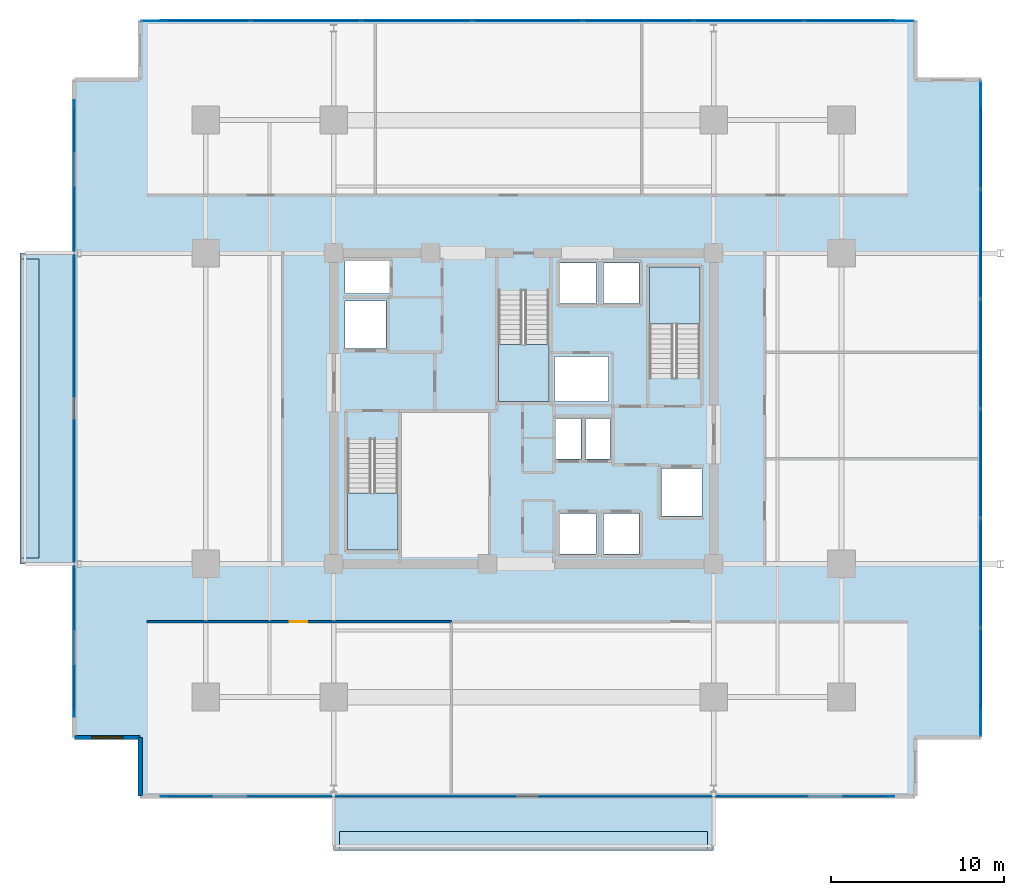
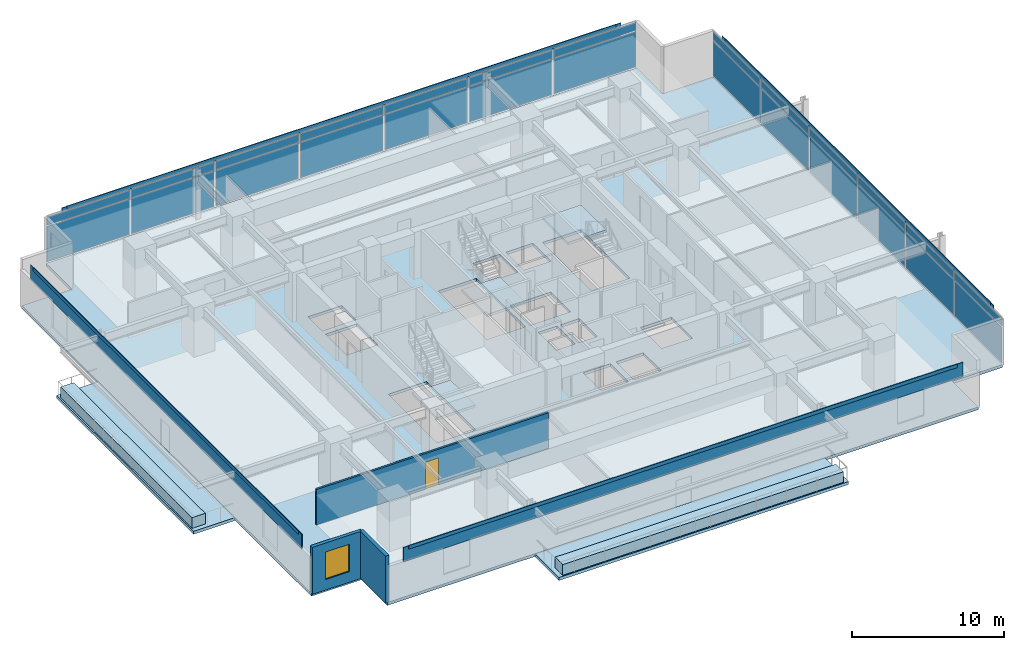
# One storey, part 13 of 23: 34 plates, 8 slabs, 3 walls, 1 door, 1 window, 2 openings, 5 elements without a shape of their own.
"""IFC4 building model written with IfcOpenShell, lengths in metres."""

import ifcopenshell
import ifcopenshell.guid

model = None  # the IFC model being written
_history = None  # IfcOwnerHistory: only IFC2X3 demands one
_inside = {}  # id of a spatial element -> (the spatial element, [elements in it])
_under = {}  # id of a project, library or spatial element -> (it, [spatial elements below it])
_declared = {}  # id of a project -> (the project, [libraries it declares])
_typed = {}  # id of a type object -> (the type object, [elements of that type])
_made_of = {}  # id of a material, layer set ... -> (it, [elements and type objects made of it])


def new_model(schema):
    """Start an empty IFC model of exactly this schema.

    Asked for "IFC4X3", IfcOpenShell would pick the latest addendum, in which some entities
    have other attributes; the version numbers below select the first issue.
    IFC2X3 requires an IfcOwnerHistory on every rooted entity: one is made here for all.
    """
    global model, _history
    if schema == "IFC4X3":
        model = ifcopenshell.file(schema_version=(4, 3, 0, 0))
    else:
        model = ifcopenshell.file(schema=schema)
    _inside.clear()
    _under.clear()
    _declared.clear()
    _typed.clear()
    _made_of.clear()
    _history = None
    if model.schema == "IFC2X3":
        org = make("IfcOrganization", Name="unknown")
        user = make(
            "IfcPersonAndOrganization",
            ThePerson=make("IfcPerson", FamilyName="unknown"),
            TheOrganization=org,
        )
        app = make(
            "IfcApplication",
            ApplicationDeveloper=org,
            Version="unknown",
            ApplicationFullName="unknown",
            ApplicationIdentifier="unknown",
        )
        _history = make(
            "IfcOwnerHistory",
            OwningUser=user,
            OwningApplication=app,
            ChangeAction="ADDED",
            CreationDate=0,
        )
    return model


def make(cls, **values):
    """One entity of the class cls with the attributes given. An attribute that is None is left unset."""
    return model.create_entity(
        cls, **{name: value for name, value in values.items() if value is not None}
    )


def rooted(cls, **values):
    """An entity with a GlobalId (a new one), such as an element, a storey or a relation."""
    return make(cls, GlobalId=ifcopenshell.guid.new(), OwnerHistory=_history, **values)


def si_unit(unit_type, name, prefix=None):
    """IfcSIUnit, for example si_unit("LENGTHUNIT", "METRE", prefix="MILLI")."""
    return make("IfcSIUnit", UnitType=unit_type, Prefix=prefix, Name=name)


def assignment(units):
    """IfcUnitAssignment: the units of a project."""
    return None if units is None else make("IfcUnitAssignment", Units=units)


def point(xyz):
    """IfcCartesianPoint."""
    return None if xyz is None else make("IfcCartesianPoint", Coordinates=xyz)


def direction(xyz):
    """IfcDirection."""
    return None if xyz is None else make("IfcDirection", DirectionRatios=xyz)


def frame(location, z_axis=None, x_axis=None):
    """IfcAxis2Placement3D, a coordinate frame: its origin and axes. An axis left out is left unset."""
    return make(
        "IfcAxis2Placement3D",
        Location=point(location),
        Axis=direction(z_axis),
        RefDirection=direction(x_axis),
    )


def frame_2d(location, x_axis=None):
    """IfcAxis2Placement2D, a coordinate frame in the plane: its origin and x axis."""
    return make(
        "IfcAxis2Placement2D", Location=point(location), RefDirection=direction(x_axis)
    )


def origin():
    """The frame at (0, 0, 0) with its axes left unset."""
    return frame((0.0, 0.0, 0.0))


def origin_2d():
    """The frame at (0, 0) in the plane with its x axis left unset."""
    return frame_2d((0.0, 0.0))


def place(relative_to, where):
    """IfcLocalPlacement: puts the frame where relative to a parent placement (None: the world)."""
    return make(
        "IfcLocalPlacement", PlacementRelTo=relative_to, RelativePlacement=where
    )


def context(
    kind, dimensions, precision=None, world=None, true_north=None, identifier=None
):
    """IfcGeometricRepresentationContext, for example the 3D "Model" context."""
    return make(
        "IfcGeometricRepresentationContext",
        ContextIdentifier=identifier,
        ContextType=kind,
        CoordinateSpaceDimension=dimensions,
        Precision=precision,
        WorldCoordinateSystem=world,
        TrueNorth=true_north,
    )


def subcontext(parent, identifier, kind, view, scale=None):
    """IfcGeometricRepresentationSubContext, for example "Body" below "Model"."""
    return make(
        "IfcGeometricRepresentationSubContext",
        ContextIdentifier=identifier,
        ContextType=kind,
        ParentContext=parent,
        TargetScale=scale,
        TargetView=view,
    )


def project(units=None, contexts=None):
    """IfcProject with its units and contexts."""
    return rooted(
        "IfcProject",
        Name="project",
        RepresentationContexts=contexts,
        UnitsInContext=assignment(units),
    )


def spatial(cls, under=None, at=None, **own):
    """A site, building, storey or space (cls), placed at a placement, below another one or the project."""
    s = rooted(cls, ObjectPlacement=at, **own)
    if under is not None:
        _under.setdefault(under.id(), (under, []))[1].append(s)
    return s


def polyline(points):
    """IfcPolyline through the points."""
    return make("IfcPolyline", Points=[point(p) for p in points])


def profile(cls, at=None, kind="AREA", **sizes):
    """A parametric profile (cls). Its sizes go by their IFC names, for example OverallWidth=200.0."""
    return make(cls, ProfileType=kind, Position=at, **sizes)


def rectangle(**sizes):
    """IfcRectangleProfileDef."""
    return profile("IfcRectangleProfileDef", **sizes)


def outline(outer, holes=None, kind="AREA"):
    """IfcArbitraryClosedProfileDef: a profile drawn as a closed curve; with holes, ...WithVoids."""
    if holes is None:
        return make("IfcArbitraryClosedProfileDef", ProfileType=kind, OuterCurve=outer)
    return make(
        "IfcArbitraryProfileDefWithVoids",
        ProfileType=kind,
        OuterCurve=outer,
        InnerCurves=holes,
    )


def extrude(swept, where, along, depth):
    """IfcExtrudedAreaSolid: the profile swept, set in the frame where, extruded along a direction by depth."""
    return make(
        "IfcExtrudedAreaSolid",
        SweptArea=swept,
        Position=where,
        ExtrudedDirection=direction(along),
        Depth=depth,
    )


def shape(context_of_items, identifier, shape_type, items):
    """IfcShapeRepresentation: the items that make up one representation, for example the "Body"."""
    return make(
        "IfcShapeRepresentation",
        ContextOfItems=context_of_items,
        RepresentationIdentifier=identifier,
        RepresentationType=shape_type,
        Items=items,
    )


def material(Name=None, Category=None):
    """IfcMaterial."""
    return make("IfcMaterial", Name=Name, Category=Category)


def layer(
    of_material, thickness, ventilated=None, Name=None, Category=None, Priority=None
):
    """IfcMaterialLayer: one layer of a wall or slab, of a material (None: an air gap)."""
    return make(
        "IfcMaterialLayer",
        Material=of_material,
        LayerThickness=thickness,
        IsVentilated=ventilated,
        Name=Name,
        Category=Category,
        Priority=Priority,
    )


def layer_set(layers, Name=None):
    """IfcMaterialLayerSet."""
    return make("IfcMaterialLayerSet", MaterialLayers=layers, LayerSetName=Name)


def made_of(thing, what):
    """Note that an element or type object is made of a material, layer set ...; save() writes the relation."""
    if what is not None:
        _made_of.setdefault(what.id(), (what, []))[1].append(thing)
    return thing


def type_object(cls, material=None, **own):
    """A type object (cls), such as IfcWallType, which elements share."""
    return made_of(rooted(cls, **own), material)


def element(
    cls,
    number,
    at=None,
    inside=None,
    cuts=None,
    type_object=None,
    material=None,
    context=None,
    identifier="Body",
    shape_type=None,
    held_by="IfcProductDefinitionShape",
    body=None,
    shapes=None,
    **own,
):
    """One element of the class cls, such as IfcWall. Its Tag is "e" and its number.

    at: its placement. inside: the storey or other place that contains it. cuts: it is an
    opening in that element (IfcRelVoidsElement). A single representation is given by context,
    identifier, shape_type and body (its items); several are given by shapes. held_by: the class
    of the entity that holds the representations. save() writes the other relations.
    """
    e = rooted(cls, Tag="e%d" % number, ObjectPlacement=at, **own)
    if body is not None:
        shapes = [shape(context, identifier, shape_type, body)]
    if shapes is not None:
        e.Representation = make(held_by, Representations=shapes)
    if inside is not None:
        _inside.setdefault(inside.id(), (inside, []))[1].append(e)
    if cuts is not None:
        rooted(
            "IfcRelVoidsElement", RelatingBuildingElement=cuts, RelatedOpeningElement=e
        )
    if type_object is not None:
        _typed.setdefault(type_object.id(), (type_object, []))[1].append(e)
    return made_of(e, material)


def fill(opening, filler):
    """IfcRelFillsElement: the door or window that sits in an opening."""
    return rooted(
        "IfcRelFillsElement",
        RelatingOpeningElement=opening,
        RelatedBuildingElement=filler,
    )


def aggregate(whole, parts):
    """IfcRelAggregates: a whole, such as a stair, and the parts it consists of."""
    return rooted("IfcRelAggregates", RelatingObject=whole, RelatedObjects=parts)


def save(model, path):
    """Write the relations noted so far, then the file.

    IfcRelAggregates (storeys below a building ...), IfcRelContainedInSpatialStructure (elements
    in a storey), IfcRelDefinesByType, IfcRelAssociatesMaterial and IfcRelDeclares: one each for
    every whole, place, type object, material and project.
    """
    for whole, parts in _under.values():
        aggregate(whole, parts)
    for where, things in _inside.values():
        rooted(
            "IfcRelContainedInSpatialStructure",
            RelatedElements=things,
            RelatingStructure=where,
        )
    for kind, things in _typed.values():
        rooted("IfcRelDefinesByType", RelatedObjects=things, RelatingType=kind)
    for what, things in _made_of.values():
        rooted("IfcRelAssociatesMaterial", RelatedObjects=things, RelatingMaterial=what)
    for by, libraries in _declared.values():
        rooted("IfcRelDeclares", RelatingContext=by, RelatedDefinitions=libraries)
    model.write(path)


model = new_model("IFC4")

# Units and contexts
model_context = context("Model", 3, precision=1e-05, world=origin(), true_north=direction((0.0, 1.0)))
body_context = subcontext(model_context, "Body", "Model", "MODEL_VIEW")
ifc_project = project(units=[si_unit("LENGTHUNIT", "METRE"), si_unit("AREAUNIT", "SQUARE_METRE"), si_unit("VOLUMEUNIT", "CUBIC_METRE"), si_unit("PLANEANGLEUNIT", "RADIAN"), si_unit("MASSUNIT", "GRAM", prefix="KILO")], contexts=[model_context])

# Site, building, storey
site_placement = place(None, origin())
site = spatial("IfcSite", under=ifc_project, at=site_placement, CompositionType="ELEMENT")
building_placement = place(site_placement, origin())
building = spatial("IfcBuilding", under=site, at=building_placement, Name="Kovane Verandah Tower", CompositionType="ELEMENT")
storey_placement = place(building_placement, frame((0.0, 0.0, 140.39990234375)))
storey = spatial("IfcBuildingStorey", under=building, at=storey_placement, Name="L32", CompositionType="ELEMENT", Elevation=140.39990234375)

# Curtain wall, plates
ifc_material_1 = material(Name="Champagne Anodised Aluminium Frame with Low-E Clear Laminated Glass", Category="aluminium")
curtain_wall_type = type_object("IfcCurtainWallType", Name="CW-SYS-03-MID", PredefinedType="NOTDEFINED", material=ifc_material_1)
curtain_wall_1_placement = place(storey_placement, origin())
curtain_wall_1 = element("IfcCurtainWall", 1, at=curtain_wall_1_placement, inside=storey, type_object=curtain_wall_type, Name="L32 E Unitised Curtain Wall", PredefinedType="NOTDEFINED")
ifc_material_2 = material(Name="Pale Champagne Anodised Aluminium Insulated Spandrel", Category="aluminium")
ifc_layer_1 = layer(ifc_material_2, 0.0400390625)
ifc_layer_set_1 = layer_set([ifc_layer_1], Name="Pale Champagne Anodised Aluminium Insulated Spandrel")
plate_type_1 = type_object("IfcPlateType", Name="PL-CW-SPD-40", PredefinedType="SHEET", material=ifc_layer_set_1)
plate_1_placement = place(storey_placement, frame((66.4560546875, 11.6328125, 3.044921875), z_axis=(0.0, 0.0, 1.0), x_axis=(0.0, 1.0, 0.0)))
plate_1 = element("IfcPlate", 2, at=plate_1_placement, type_object=plate_type_1, Name="L32 E Unitised Curtain Wall Spandrel Panel 1", PredefinedType="SHEET", context=body_context, shape_type="SweptSolid", body=[
    extrude(rectangle(XDim=6.206787109375, YDim=0.0400390625, at=origin_2d()), origin(), (0.0, 0.0, 1.0), 0.639892578125),
])
plate_2_placement = place(storey_placement, frame((66.4560546875, 17.9794921875, 3.044921875), z_axis=(0.0, 0.0, 1.0), x_axis=(0.0, 1.0, 0.0)))
plate_2 = element("IfcPlate", 3, at=plate_2_placement, type_object=plate_type_1, Name="L32 E Unitised Curtain Wall Spandrel Panel 2", PredefinedType="SHEET", context=body_context, shape_type="SweptSolid", body=[
    extrude(rectangle(XDim=6.206787109375, YDim=0.0400390625, at=origin_2d()), origin(), (0.0, 0.0, 1.0), 0.639892578125),
])
plate_3_placement = place(storey_placement, frame((66.4560546875, 24.326416015625, 3.044921875), z_axis=(0.0, 0.0, 1.0), x_axis=(0.0, 1.0, 0.0)))
plate_3 = element("IfcPlate", 4, at=plate_3_placement, type_object=plate_type_1, Name="L32 E Unitised Curtain Wall Spandrel Panel 3", PredefinedType="SHEET", context=body_context, shape_type="SweptSolid", body=[
    extrude(rectangle(XDim=6.206787109375, YDim=0.0400390625, at=origin_2d()), origin(), (0.0, 0.0, 1.0), 0.639892578125),
])
plate_4_placement = place(storey_placement, frame((66.4560546875, 30.673583984375, 3.044921875), z_axis=(0.0, 0.0, 1.0), x_axis=(0.0, 1.0, 0.0)))
plate_4 = element("IfcPlate", 5, at=plate_4_placement, type_object=plate_type_1, Name="L32 E Unitised Curtain Wall Spandrel Panel 4", PredefinedType="SHEET", context=body_context, shape_type="SweptSolid", body=[
    extrude(rectangle(XDim=6.206787109375, YDim=0.0400390625, at=origin_2d()), origin(), (0.0, 0.0, 1.0), 0.639892578125),
])
plate_5_placement = place(storey_placement, frame((66.4560546875, 37.0205078125, 3.044921875), z_axis=(0.0, 0.0, 1.0), x_axis=(0.0, 1.0, 0.0)))
plate_5 = element("IfcPlate", 6, at=plate_5_placement, type_object=plate_type_1, Name="L32 E Unitised Curtain Wall Spandrel Panel 5", PredefinedType="SHEET", context=body_context, shape_type="SweptSolid", body=[
    extrude(rectangle(XDim=6.206787109375, YDim=0.0400390625, at=origin_2d()), origin(), (0.0, 0.0, 1.0), 0.639892578125),
])
plate_6_placement = place(storey_placement, frame((66.4560546875, 43.3671875, 3.044921875), z_axis=(0.0, 0.0, 1.0), x_axis=(0.0, 1.0, 0.0)))
plate_6 = element("IfcPlate", 7, at=plate_6_placement, type_object=plate_type_1, Name="L32 E Unitised Curtain Wall Spandrel Panel 6", PredefinedType="SHEET", context=body_context, shape_type="SweptSolid", body=[
    extrude(rectangle(XDim=6.206787109375, YDim=0.0400390625, at=origin_2d()), origin(), (0.0, 0.0, 1.0), 0.639892578125),
])

curtain_wall_2_placement = place(storey_placement, origin())
curtain_wall_2 = element("IfcCurtainWall", 8, at=curtain_wall_2_placement, inside=storey, type_object=curtain_wall_type, Name="L32 N Unitised Curtain Wall", PredefinedType="NOTDEFINED")
plate_7_placement = place(storey_placement, frame((59.451904296875, 49.94091796875, 3.044921875), z_axis=(0.0, 0.0, 1.0), x_axis=(-1.0, 0.0, 0.0)))
plate_7 = element("IfcPlate", 9, at=plate_7_placement, type_object=plate_type_1, Name="L32 N Unitised Curtain Wall Spandrel Panel 1", PredefinedType="SHEET", context=body_context, shape_type="SweptSolid", body=[
    extrude(rectangle(XDim=6.268310546875, YDim=0.0400390625, at=origin_2d()), origin(), (0.0, 0.0, 1.0), 0.639892578125),
])
plate_8_placement = place(storey_placement, frame((53.043701171875, 49.94091796875, 3.044921875), z_axis=(0.0, 0.0, 1.0), x_axis=(-1.0, 0.0, 0.0)))
plate_8 = element("IfcPlate", 10, at=plate_8_placement, type_object=plate_type_1, Name="L32 N Unitised Curtain Wall Spandrel Panel 2", PredefinedType="SHEET", context=body_context, shape_type="SweptSolid", body=[
    extrude(rectangle(XDim=6.268310546875, YDim=0.0400390625, at=origin_2d()), origin(), (0.0, 0.0, 1.0), 0.639892578125),
])
plate_9_placement = place(storey_placement, frame((46.6357421875, 49.94091796875, 3.044921875), z_axis=(0.0, 0.0, 1.0), x_axis=(-1.0, 0.0, 0.0)))
plate_9 = element("IfcPlate", 11, at=plate_9_placement, type_object=plate_type_1, Name="L32 N Unitised Curtain Wall Spandrel Panel 3", PredefinedType="SHEET", context=body_context, shape_type="SweptSolid", body=[
    extrude(rectangle(XDim=6.268310546875, YDim=0.0400390625, at=origin_2d()), origin(), (0.0, 0.0, 1.0), 0.639892578125),
])
plate_10_placement = place(storey_placement, frame((40.2275390625, 49.94091796875, 3.044921875), z_axis=(0.0, 0.0, 1.0), x_axis=(-1.0, 0.0, 0.0)))
plate_10 = element("IfcPlate", 12, at=plate_10_placement, type_object=plate_type_1, Name="L32 N Unitised Curtain Wall Spandrel Panel 4", PredefinedType="SHEET", context=body_context, shape_type="SweptSolid", body=[
    extrude(rectangle(XDim=6.268310546875, YDim=0.0400390625, at=origin_2d()), origin(), (0.0, 0.0, 1.0), 0.639892578125),
])
plate_11_placement = place(storey_placement, frame((33.8193359375, 49.94091796875, 3.044921875), z_axis=(0.0, 0.0, 1.0), x_axis=(-1.0, 0.0, 0.0)))
plate_11 = element("IfcPlate", 13, at=plate_11_placement, type_object=plate_type_1, Name="L32 N Unitised Curtain Wall Spandrel Panel 5", PredefinedType="SHEET", context=body_context, shape_type="SweptSolid", body=[
    extrude(rectangle(XDim=6.268310546875, YDim=0.0400390625, at=origin_2d()), origin(), (0.0, 0.0, 1.0), 0.639892578125),
])
plate_12_placement = place(storey_placement, frame((27.4111328125, 49.94091796875, 3.044921875), z_axis=(0.0, 0.0, 1.0), x_axis=(-1.0, 0.0, 0.0)))
plate_12 = element("IfcPlate", 14, at=plate_12_placement, type_object=plate_type_1, Name="L32 N Unitised Curtain Wall Spandrel Panel 6", PredefinedType="SHEET", context=body_context, shape_type="SweptSolid", body=[
    extrude(rectangle(XDim=6.268310546875, YDim=0.0400390625, at=origin_2d()), origin(), (0.0, 0.0, 1.0), 0.639892578125),
])
plate_13_placement = place(storey_placement, frame((21.0029296875, 49.94091796875, 3.044921875), z_axis=(0.0, 0.0, 1.0), x_axis=(-1.0, 0.0, 0.0)))
plate_13 = element("IfcPlate", 15, at=plate_13_placement, type_object=plate_type_1, Name="L32 N Unitised Curtain Wall Spandrel Panel 7", PredefinedType="SHEET", context=body_context, shape_type="SweptSolid", body=[
    extrude(rectangle(XDim=6.268310546875, YDim=0.0400390625, at=origin_2d()), origin(), (0.0, 0.0, 1.0), 0.639892578125),
])

# Plate
ifc_material_3 = material(Name="Clear Low-E Laminated Double Glazing", Category="glass")
ifc_layer_2 = layer(ifc_material_3, 0.031982421875)
ifc_layer_set_2 = layer_set([ifc_layer_2], Name="Clear Low-E Laminated Double Glazing")
plate_type_2 = type_object("IfcPlateType", Name="PL-CW-VIS-32", PredefinedType="CURTAIN_PANEL", material=ifc_layer_set_2)
plate_14_placement = place(storey_placement, frame((66.4560546875, 11.6328125, 0.10009765625), z_axis=(0.0, 0.0, 1.0), x_axis=(0.0, 1.0, 0.0)))
plate_14 = element("IfcPlate", 16, at=plate_14_placement, type_object=plate_type_2, Name="L32 E Unitised Curtain Wall Vision Panel 1", PredefinedType="CURTAIN_PANEL", context=body_context, shape_type="SweptSolid", body=[
    extrude(rectangle(XDim=6.206787109375, YDim=0.031982421875, at=origin_2d()), origin(), (0.0, 0.0, 1.0), 2.844970703125),
])

plate_15_placement = place(storey_placement, frame((66.4560546875, 17.9794921875, 0.10009765625), z_axis=(0.0, 0.0, 1.0), x_axis=(0.0, 1.0, 0.0)))
plate_15 = element("IfcPlate", 17, at=plate_15_placement, type_object=plate_type_2, Name="L32 E Unitised Curtain Wall Vision Panel 2", PredefinedType="CURTAIN_PANEL", context=body_context, shape_type="SweptSolid", body=[
    extrude(rectangle(XDim=6.206787109375, YDim=0.031982421875, at=origin_2d()), origin(), (0.0, 0.0, 1.0), 2.844970703125),
])

plate_16_placement = place(storey_placement, frame((66.4560546875, 24.326416015625, 0.10009765625), z_axis=(0.0, 0.0, 1.0), x_axis=(0.0, 1.0, 0.0)))
plate_16 = element("IfcPlate", 18, at=plate_16_placement, type_object=plate_type_2, Name="L32 E Unitised Curtain Wall Vision Panel 3", PredefinedType="CURTAIN_PANEL", context=body_context, shape_type="SweptSolid", body=[
    extrude(rectangle(XDim=6.206787109375, YDim=0.031982421875, at=origin_2d()), origin(), (0.0, 0.0, 1.0), 2.844970703125),
])

plate_17_placement = place(storey_placement, frame((66.4560546875, 30.673583984375, 0.10009765625), z_axis=(0.0, 0.0, 1.0), x_axis=(0.0, 1.0, 0.0)))
plate_17 = element("IfcPlate", 19, at=plate_17_placement, type_object=plate_type_2, Name="L32 E Unitised Curtain Wall Vision Panel 4", PredefinedType="CURTAIN_PANEL", context=body_context, shape_type="SweptSolid", body=[
    extrude(rectangle(XDim=6.206787109375, YDim=0.031982421875, at=origin_2d()), origin(), (0.0, 0.0, 1.0), 2.844970703125),
])

plate_18_placement = place(storey_placement, frame((66.4560546875, 37.0205078125, 0.10009765625), z_axis=(0.0, 0.0, 1.0), x_axis=(0.0, 1.0, 0.0)))
plate_18 = element("IfcPlate", 20, at=plate_18_placement, type_object=plate_type_2, Name="L32 E Unitised Curtain Wall Vision Panel 5", PredefinedType="CURTAIN_PANEL", context=body_context, shape_type="SweptSolid", body=[
    extrude(rectangle(XDim=6.206787109375, YDim=0.031982421875, at=origin_2d()), origin(), (0.0, 0.0, 1.0), 2.844970703125),
])

plate_19_placement = place(storey_placement, frame((66.4560546875, 43.3671875, 0.10009765625), z_axis=(0.0, 0.0, 1.0), x_axis=(0.0, 1.0, 0.0)))
plate_19 = element("IfcPlate", 21, at=plate_19_placement, type_object=plate_type_2, Name="L32 E Unitised Curtain Wall Vision Panel 6", PredefinedType="CURTAIN_PANEL", context=body_context, shape_type="SweptSolid", body=[
    extrude(rectangle(XDim=6.206787109375, YDim=0.031982421875, at=origin_2d()), origin(), (0.0, 0.0, 1.0), 2.844970703125),
])

aggregate(curtain_wall_1, [plate_14, plate_1, plate_15, plate_2, plate_16, plate_3, plate_17, plate_4, plate_18, plate_5, plate_19, plate_6])

plate_20_placement = place(storey_placement, frame((59.451904296875, 49.94091796875, 0.10009765625), z_axis=(0.0, 0.0, 1.0), x_axis=(-1.0, 0.0, 0.0)))
plate_20 = element("IfcPlate", 22, at=plate_20_placement, type_object=plate_type_2, Name="L32 N Unitised Curtain Wall Vision Panel 1", PredefinedType="CURTAIN_PANEL", context=body_context, shape_type="SweptSolid", body=[
    extrude(rectangle(XDim=6.268310546875, YDim=0.031982421875, at=origin_2d()), origin(), (0.0, 0.0, 1.0), 2.844970703125),
])

plate_21_placement = place(storey_placement, frame((53.043701171875, 49.94091796875, 0.10009765625), z_axis=(0.0, 0.0, 1.0), x_axis=(-1.0, 0.0, 0.0)))
plate_21 = element("IfcPlate", 23, at=plate_21_placement, type_object=plate_type_2, Name="L32 N Unitised Curtain Wall Vision Panel 2", PredefinedType="CURTAIN_PANEL", context=body_context, shape_type="SweptSolid", body=[
    extrude(rectangle(XDim=6.268310546875, YDim=0.031982421875, at=origin_2d()), origin(), (0.0, 0.0, 1.0), 2.844970703125),
])

plate_22_placement = place(storey_placement, frame((46.6357421875, 49.94091796875, 0.10009765625), z_axis=(0.0, 0.0, 1.0), x_axis=(-1.0, 0.0, 0.0)))
plate_22 = element("IfcPlate", 24, at=plate_22_placement, type_object=plate_type_2, Name="L32 N Unitised Curtain Wall Vision Panel 3", PredefinedType="CURTAIN_PANEL", context=body_context, shape_type="SweptSolid", body=[
    extrude(rectangle(XDim=6.268310546875, YDim=0.031982421875, at=origin_2d()), origin(), (0.0, 0.0, 1.0), 2.844970703125),
])

plate_23_placement = place(storey_placement, frame((40.2275390625, 49.94091796875, 0.10009765625), z_axis=(0.0, 0.0, 1.0), x_axis=(-1.0, 0.0, 0.0)))
plate_23 = element("IfcPlate", 25, at=plate_23_placement, type_object=plate_type_2, Name="L32 N Unitised Curtain Wall Vision Panel 4", PredefinedType="CURTAIN_PANEL", context=body_context, shape_type="SweptSolid", body=[
    extrude(rectangle(XDim=6.268310546875, YDim=0.031982421875, at=origin_2d()), origin(), (0.0, 0.0, 1.0), 2.844970703125),
])

plate_24_placement = place(storey_placement, frame((33.8193359375, 49.94091796875, 0.10009765625), z_axis=(0.0, 0.0, 1.0), x_axis=(-1.0, 0.0, 0.0)))
plate_24 = element("IfcPlate", 26, at=plate_24_placement, type_object=plate_type_2, Name="L32 N Unitised Curtain Wall Vision Panel 5", PredefinedType="CURTAIN_PANEL", context=body_context, shape_type="SweptSolid", body=[
    extrude(rectangle(XDim=6.268310546875, YDim=0.031982421875, at=origin_2d()), origin(), (0.0, 0.0, 1.0), 2.844970703125),
])

plate_25_placement = place(storey_placement, frame((27.4111328125, 49.94091796875, 0.10009765625), z_axis=(0.0, 0.0, 1.0), x_axis=(-1.0, 0.0, 0.0)))
plate_25 = element("IfcPlate", 27, at=plate_25_placement, type_object=plate_type_2, Name="L32 N Unitised Curtain Wall Vision Panel 6", PredefinedType="CURTAIN_PANEL", context=body_context, shape_type="SweptSolid", body=[
    extrude(rectangle(XDim=6.268310546875, YDim=0.031982421875, at=origin_2d()), origin(), (0.0, 0.0, 1.0), 2.844970703125),
])

plate_26_placement = place(storey_placement, frame((21.0029296875, 49.94091796875, 0.10009765625), z_axis=(0.0, 0.0, 1.0), x_axis=(-1.0, 0.0, 0.0)))
plate_26 = element("IfcPlate", 28, at=plate_26_placement, type_object=plate_type_2, Name="L32 N Unitised Curtain Wall Vision Panel 7", PredefinedType="CURTAIN_PANEL", context=body_context, shape_type="SweptSolid", body=[
    extrude(rectangle(XDim=6.268310546875, YDim=0.031982421875, at=origin_2d()), origin(), (0.0, 0.0, 1.0), 2.844970703125),
])

aggregate(curtain_wall_2, [plate_20, plate_7, plate_21, plate_8, plate_22, plate_9, plate_23, plate_10, plate_24, plate_11, plate_25, plate_12, plate_26, plate_13])

# Plates
ifc_material_4 = material(Name="Perforated Pale Champagne Anodised Aluminium Solar Screen", Category="aluminium")
ifc_layer_3 = layer(ifc_material_4, 0.050048828125)
ifc_layer_set_3 = layer_set([ifc_layer_3], Name="Perforated Pale Champagne Anodised Aluminium Solar Screen")
plate_type_3 = type_object("IfcPlateType", Name="PL-SCREEN-50", PredefinedType="USERDEFINED", material=ifc_layer_set_3)
plate_27_placement = place(storey_placement, frame((40.2275390625, 5.044189453125, 2.875244140625), z_axis=(0.0, 0.0, 1.0), x_axis=(1.0, 0.0, 0.0)))
element("IfcPlate", 29, at=plate_27_placement, inside=storey, type_object=plate_type_3, Name="L32 S Perforated Champagne-Gold Solar Screen", ObjectType="SCREEN", PredefinedType="USERDEFINED", context=body_context, shape_type="SweptSolid", body=[
    extrude(rectangle(XDim=42.45703125, YDim=0.050048828125, at=origin_2d()), origin(), (0.0, 0.0, 1.0), 1.14990234375),
])
plate_28_placement = place(storey_placement, frame((66.47119140625, 27.5, 2.875244140625), z_axis=(0.0, 0.0, 1.0), x_axis=(0.0, 1.0, 0.0)))
element("IfcPlate", 30, at=plate_28_placement, inside=storey, type_object=plate_type_3, Name="L32 E Perforated Champagne-Gold Solar Screen", ObjectType="SCREEN", PredefinedType="USERDEFINED", context=body_context, shape_type="SweptSolid", body=[
    extrude(rectangle(XDim=35.681884765625, YDim=0.050048828125, at=origin_2d()), origin(), (0.0, 0.0, 1.0), 1.14990234375),
])
plate_29_placement = place(storey_placement, frame((40.2275390625, 49.955810546875, 2.875244140625), z_axis=(0.0, 0.0, 1.0), x_axis=(-1.0, 0.0, 0.0)))
element("IfcPlate", 31, at=plate_29_placement, inside=storey, type_object=plate_type_3, Name="L32 N Perforated Champagne-Gold Solar Screen", ObjectType="SCREEN", PredefinedType="USERDEFINED", context=body_context, shape_type="SweptSolid", body=[
    extrude(rectangle(XDim=42.45703125, YDim=0.050048828125, at=origin_2d()), origin(), (0.0, 0.0, 1.0), 1.14990234375),
])
plate_30_placement = place(storey_placement, frame((13.98388671875, 27.5, 2.875244140625), z_axis=(0.0, 0.0, 1.0), x_axis=(0.0, -1.0, 0.0)))
element("IfcPlate", 32, at=plate_30_placement, inside=storey, type_object=plate_type_3, Name="L32 W Perforated Champagne-Gold Solar Screen", ObjectType="SCREEN", PredefinedType="USERDEFINED", context=body_context, shape_type="SweptSolid", body=[
    extrude(rectangle(XDim=35.681884765625, YDim=0.050048828125, at=origin_2d()), origin(), (0.0, 0.0, 1.0), 1.14990234375),
])
ifc_material_5 = material(Name="Extruded Pale-Bronze Aluminium Aerofoil Sunshade", Category="aluminium")
ifc_layer_4 = layer(ifc_material_5, 0.06005859375)
ifc_layer_set_4 = layer_set([ifc_layer_4], Name="Extruded Pale-Bronze Aluminium Aerofoil Sunshade")
plate_type_4 = type_object("IfcPlateType", Name="PL-SUNSHADE-60", PredefinedType="USERDEFINED", material=ifc_layer_set_4)
plate_31_placement = place(storey_placement, frame((40.2275390625, 5.039306640625, 3.7548828125), z_axis=(0.0, 0.0, 1.0), x_axis=(1.0, 0.0, 0.0)))
element("IfcPlate", 33, at=plate_31_placement, inside=storey, type_object=plate_type_4, Name="L32 S Subtropical Aerofoil Sunshade", ObjectType="SUNSHADE", PredefinedType="USERDEFINED", context=body_context, shape_type="SweptSolid", body=[
    extrude(rectangle(XDim=41.656982421875, YDim=0.06005859375, at=origin_2d()), origin(), (0.0, 0.0, 1.0), 0.280029296875),
])
plate_32_placement = place(storey_placement, frame((66.47607421875, 27.5, 3.7548828125), z_axis=(0.0, 0.0, 1.0), x_axis=(0.0, 1.0, 0.0)))
element("IfcPlate", 34, at=plate_32_placement, inside=storey, type_object=plate_type_4, Name="L32 E Subtropical Aerofoil Sunshade", ObjectType="SUNSHADE", PredefinedType="USERDEFINED", context=body_context, shape_type="SweptSolid", body=[
    extrude(rectangle(XDim=34.882080078125, YDim=0.06005859375, at=origin_2d()), origin(), (0.0, 0.0, 1.0), 0.280029296875),
])
plate_33_placement = place(storey_placement, frame((40.2275390625, 49.960693359375, 3.7548828125), z_axis=(0.0, 0.0, 1.0), x_axis=(-1.0, 0.0, 0.0)))
element("IfcPlate", 35, at=plate_33_placement, inside=storey, type_object=plate_type_4, Name="L32 N Subtropical Aerofoil Sunshade", ObjectType="SUNSHADE", PredefinedType="USERDEFINED", context=body_context, shape_type="SweptSolid", body=[
    extrude(rectangle(XDim=41.656982421875, YDim=0.06005859375, at=origin_2d()), origin(), (0.0, 0.0, 1.0), 0.280029296875),
])
plate_34_placement = place(storey_placement, frame((13.97900390625, 27.5, 3.7548828125), z_axis=(0.0, 0.0, 1.0), x_axis=(0.0, -1.0, 0.0)))
element("IfcPlate", 36, at=plate_34_placement, inside=storey, type_object=plate_type_4, Name="L32 W Subtropical Aerofoil Sunshade", ObjectType="SUNSHADE", PredefinedType="USERDEFINED", context=body_context, shape_type="SweptSolid", body=[
    extrude(rectangle(XDim=34.882080078125, YDim=0.06005859375, at=origin_2d()), origin(), (0.0, 0.0, 1.0), 0.280029296875),
])

# Slabs
ifc_material_6 = material(Name="Concrete C45/55", Category="concrete")
ifc_layer_5 = layer(ifc_material_6, 0.239990234375)
ifc_layer_set_5 = layer_set([ifc_layer_5], Name="Concrete C45/55")
slab_type_1 = type_object("IfcSlabType", Name="SL-BALC-240", PredefinedType="FLOOR", material=ifc_layer_set_5)
slab_1_placement = place(storey_placement, frame((0.0, 0.0, -0.239990234375)))
element("IfcSlab", 37, at=slab_1_placement, inside=storey, type_object=slab_type_1, Name="L32 S Planted Verandah Balcony Slab", PredefinedType="FLOOR", context=body_context, shape_type="SweptSolid", body=[
    extrude(outline(polyline([(29.0, 1.9091796875), (51.0, 1.9091796875), (51.0, 5.05908203125), (29.0, 5.05908203125), (29.0, 1.9091796875)])), origin(), (0.0, 0.0, 1.0), 0.239990234375),
])
slab_2_placement = place(storey_placement, frame((0.0, 0.0, -0.239990234375)))
element("IfcSlab", 38, at=slab_2_placement, inside=storey, type_object=slab_type_1, Name="L32 W Planted Verandah Balcony Slab", PredefinedType="FLOOR", context=body_context, shape_type="SweptSolid", body=[
    extrude(outline(polyline([(10.848876953125, 18.5), (13.998779296875, 18.5), (13.998779296875, 36.5), (10.848876953125, 36.5), (10.848876953125, 18.5)])), origin(), (0.0, 0.0, 1.0), 0.239990234375),
])

# Stair, slab
stair_type = type_object("IfcStairType", Name="ST-CORE-1380", PredefinedType="HALF_TURN_STAIR", material=ifc_material_6)
stair_1_placement = place(storey_placement, origin())
stair_1 = element("IfcStair", 39, at=stair_1_placement, inside=storey, type_object=stair_type, Name="L32 Exit Stair ST-01", PredefinedType="HALF_TURN_STAIR")
ifc_layer_6 = layer(ifc_material_6, 0.199951171875)
ifc_layer_set_6 = layer_set([ifc_layer_6], Name="Concrete C45/55")
slab_type_2 = type_object("IfcSlabType", Name="SL-LAND-200", PredefinedType="LANDING", material=ifc_layer_set_6)
slab_3_placement = place(storey_placement, frame((0.0, 0.0, 1.800048828125)))
slab_3 = element("IfcSlab", 40, at=slab_3_placement, type_object=slab_type_2, Name="ST-01 landing 1", PredefinedType="LANDING", context=body_context, shape_type="SweptSolid", body=[
    extrude(outline(polyline([(29.800048828125, 22.614990234375), (29.800048828125, 19.300048828125), (32.719970703125, 19.300048828125), (32.719970703125, 22.614990234375), (29.800048828125, 22.614990234375)])), origin(), (0.0, 0.0, 1.0), 0.199951171875),
])
aggregate(stair_1, [slab_3])

stair_2_placement = place(storey_placement, origin())
stair_2 = element("IfcStair", 41, at=stair_2_placement, inside=storey, type_object=stair_type, Name="L32 Exit Stair ST-02", PredefinedType="HALF_TURN_STAIR")
slab_4_placement = place(storey_placement, frame((0.0, 0.0, 1.800048828125)))
slab_4 = element("IfcSlab", 42, at=slab_4_placement, type_object=slab_type_2, Name="ST-02 landing 1", PredefinedType="LANDING", context=body_context, shape_type="SweptSolid", body=[
    extrude(outline(polyline([(50.199951171875, 32.385009765625), (50.199951171875, 35.699951171875), (47.280029296875, 35.699951171875), (47.280029296875, 32.385009765625), (50.199951171875, 32.385009765625)])), origin(), (0.0, 0.0, 1.0), 0.199951171875),
])
aggregate(stair_2, [slab_4])

stair_3_placement = place(storey_placement, origin())
stair_3 = element("IfcStair", 43, at=stair_3_placement, inside=storey, type_object=stair_type, Name="L32 Exit Stair ST-03", PredefinedType="HALF_TURN_STAIR")
slab_5_placement = place(storey_placement, frame((0.0, 0.0, 1.800048828125)))
slab_5 = element("IfcSlab", 44, at=slab_5_placement, type_object=slab_type_2, Name="ST-03 landing 1", PredefinedType="LANDING", context=body_context, shape_type="SweptSolid", body=[
    extrude(outline(polyline([(38.5400390625, 31.215087890625), (38.5400390625, 27.89990234375), (41.4599609375, 27.89990234375), (41.4599609375, 31.215087890625), (38.5400390625, 31.215087890625)])), origin(), (0.0, 0.0, 1.0), 0.199951171875),
])
aggregate(stair_3, [slab_5])

# Slabs
ifc_layer_7 = layer(ifc_material_6, 0.22509765625)
ifc_layer_set_7 = layer_set([ifc_layer_7], Name="Concrete C45/55")
slab_type_3 = type_object("IfcSlabType", Name="SL-MID-225", PredefinedType="FLOOR", material=ifc_layer_set_7)
slab_6_placement = place(storey_placement, frame((0.0, 0.0, -0.224853515625)))
element("IfcSlab", 45, at=slab_6_placement, inside=storey, type_object=slab_type_3, Name="L32 Structural Floor Slab", PredefinedType="FLOOR", context=body_context, shape_type="SweptSolid", body=[
    extrude(outline(polyline([(17.798828125, 5.05908203125), (62.656005859375, 5.05908203125), (62.656005859375, 8.459228515625), (66.4560546875, 8.459228515625), (66.4560546875, 46.540771484375), (62.656005859375, 46.540771484375), (62.656005859375, 49.94091796875), (17.798828125, 49.94091796875), (17.798828125, 46.540771484375), (13.998779296875, 46.540771484375), (13.998779296875, 8.459228515625), (17.798828125, 8.459228515625), (17.798828125, 5.05908203125)]), holes=[polyline([(29.800048828125, 19.300048828125), (32.719970703125, 19.300048828125), (32.719970703125, 25.705078125), (29.800048828125, 25.705078125), (29.800048828125, 19.300048828125)]), polyline([(47.280029296875, 29.294921875), (50.199951171875, 29.294921875), (50.199951171875, 35.699951171875), (47.280029296875, 35.699951171875), (47.280029296875, 29.294921875)]), polyline([(38.5400390625, 27.89990234375), (41.4599609375, 27.89990234375), (41.4599609375, 34.304931640625), (38.5400390625, 34.304931640625), (38.5400390625, 27.89990234375)]), polyline([(29.669921875, 30.969970703125), (32.030029296875, 30.969970703125), (32.030029296875, 33.72998046875), (29.669921875, 33.72998046875), (29.669921875, 30.969970703125)]), polyline([(47.969970703125, 21.27001953125), (50.330078125, 21.27001953125), (50.330078125, 24.030029296875), (47.969970703125, 24.030029296875), (47.969970703125, 21.27001953125)]), polyline([(29.669921875, 34.169921875), (32.22998046875, 34.169921875), (32.22998046875, 36.030029296875), (29.669921875, 36.030029296875), (29.669921875, 34.169921875)]), polyline([(42.1201171875, 19.070068359375), (44.179931640625, 19.070068359375), (44.179931640625, 21.429931640625), (42.1201171875, 21.429931640625), (42.1201171875, 19.070068359375)]), polyline([(44.6201171875, 19.070068359375), (46.679931640625, 19.070068359375), (46.679931640625, 21.429931640625), (44.6201171875, 21.429931640625), (44.6201171875, 19.070068359375)]), polyline([(41.8798828125, 24.570068359375), (43.320068359375, 24.570068359375), (43.320068359375, 26.929931640625), (41.8798828125, 26.929931640625), (41.8798828125, 24.570068359375)]), polyline([(43.580078125, 24.570068359375), (45.0, 24.570068359375), (45.0, 26.929931640625), (43.580078125, 26.929931640625), (43.580078125, 24.570068359375)]), polyline([(42.1201171875, 33.570068359375), (44.179931640625, 33.570068359375), (44.179931640625, 35.929931640625), (42.1201171875, 35.929931640625), (42.1201171875, 33.570068359375)]), polyline([(44.6201171875, 33.570068359375), (46.679931640625, 33.570068359375), (46.679931640625, 35.929931640625), (44.6201171875, 35.929931640625), (44.6201171875, 33.570068359375)]), polyline([(41.800048828125, 27.89990234375), (44.89990234375, 27.89990234375), (44.89990234375, 30.5), (41.800048828125, 30.5), (41.800048828125, 27.89990234375)])]), origin(), (0.0, 0.0, 1.0), 0.224853515625),
])
ifc_material_7 = material(Name="Architectural Precast Concrete C45/55 Planter Trough", Category="concrete")
ifc_layer_8 = layer(ifc_material_7, 0.219970703125)
ifc_layer_set_8 = layer_set([ifc_layer_8], Name="Architectural Precast Concrete C45/55 Planter Trough")
slab_type_4 = type_object("IfcSlabType", Name="SL-PLANTER-220", PredefinedType="USERDEFINED", material=ifc_layer_set_8)
slab_7_placement = place(storey_placement, origin())
element("IfcSlab", 46, at=slab_7_placement, inside=storey, type_object=slab_type_4, Name="L32 S Structural Tree Planter", ObjectType="PLANTER", PredefinedType="USERDEFINED", context=body_context, shape_type="SweptSolid", body=[
    extrude(outline(polyline([(29.35009765625, 2.00927734375), (50.64990234375, 2.00927734375), (50.64990234375, 3.00927734375), (29.35009765625, 3.00927734375), (29.35009765625, 2.00927734375)])), origin(), (0.0, 0.0, 1.0), 0.85009765625),
])
slab_8_placement = place(storey_placement, origin())
element("IfcSlab", 47, at=slab_8_placement, inside=storey, type_object=slab_type_4, Name="L32 W Structural Tree Planter", ObjectType="PLANTER", PredefinedType="USERDEFINED", context=body_context, shape_type="SweptSolid", body=[
    extrude(outline(polyline([(10.948974609375, 18.85009765625), (11.948974609375, 18.85009765625), (11.948974609375, 36.14990234375), (10.948974609375, 36.14990234375), (10.948974609375, 18.85009765625)])), origin(), (0.0, 0.0, 1.0), 0.85009765625),
])

# Wall, opening, door
ifc_material_8 = material(Name="Fire-Rated Gypsum Stud Partition", Category="gypsum")
ifc_layer_9 = layer(ifc_material_8, 0.14990234375)
ifc_layer_set_9 = layer_set([ifc_layer_9], Name="Fire-Rated Gypsum Stud Partition")
wall_type_1 = type_object("IfcWallType", Name="WL-COR-150", PredefinedType="PARTITIONING", material=ifc_layer_set_9)
wall_1_placement = place(storey_placement, frame((18.198974609375, 15.14990234375, 0.0), z_axis=(0.0, 0.0, 1.0), x_axis=(1.0, 0.0, 0.0)))
wall_1 = element("IfcWall", 48, at=wall_1_placement, inside=storey, type_object=wall_type_1, Name="L32 Breakout Pantry S1 Corridor Partition", PredefinedType="PARTITIONING", context=body_context, shape_type="SweptSolid", body=[
    extrude(rectangle(XDim=17.622802734375, YDim=0.14990234375, at=frame_2d((8.8115234375, 0.0))), origin(), (0.0, 0.0, 1.0), 2.85009765625),
])
opening_1_placement = place(wall_1_placement, frame((8.276611328125, 0.0, 0.0)))
opening_1 = element("IfcOpeningElement", 49, at=opening_1_placement, cuts=wall_1, Name="Opening DR-L32-020", PredefinedType="OPENING", context=body_context, shape_type="SweptSolid", body=[
    extrude(rectangle(XDim=1.0, YDim=2.14990234375, at=frame_2d((0.5, 1.074951171875))), frame((0.0, 0.074951171875, 0.0), z_axis=(0.0, -1.0, 0.0), x_axis=(1.0, 0.0, 0.0)), (0.0, 0.0, 1.0), 0.14990234375),
])
ifc_material_9 = material(Name="FSC Spotted-Gum Timber Fire-Rated Office Door", Category="wood")
door_type = type_object("IfcDoorType", Name="DR-OFF-1000", OperationType="SINGLE_SWING_LEFT", PredefinedType="DOOR", material=ifc_material_9)
door_placement = place(opening_1_placement, origin())
door = element("IfcDoor", 50, at=door_placement, inside=storey, type_object=door_type, Name="L32 Breakout Pantry S1 Entrance Door", OperationType="SINGLE_SWING_RIGHT", OverallHeight=2.14990234375, OverallWidth=1.0, PredefinedType="DOOR", context=body_context, shape_type="SweptSolid", body=[
    extrude(rectangle(XDim=1.0, YDim=2.14990234375, at=frame_2d((0.5, 1.074951171875))), frame((0.0, 0.02490234375, 0.0), z_axis=(0.0, -1.0, 0.0), x_axis=(1.0, 0.0, 0.0)), (0.0, 0.0, 1.0), 0.050048828125),
])
fill(opening_1, door)

# Wall, opening, window
ifc_material_10 = material(Name="Concrete C45/55 Insulated Spandrel Wall", Category="concrete")
ifc_layer_10 = layer(ifc_material_10, 0.260009765625)
ifc_layer_set_10 = layer_set([ifc_layer_10], Name="Concrete C45/55 Insulated Spandrel Wall")
wall_type_2 = type_object("IfcWallType", Name="WL-SPANDREL-260", PredefinedType="PARAPET", material=ifc_layer_set_10)
wall_2_placement = place(storey_placement, frame((13.998779296875, 8.459228515625, 0.0), z_axis=(0.0, 0.0, 1.0), x_axis=(1.0, 0.0, 0.0)))
wall_2 = element("IfcWall", 51, at=wall_2_placement, inside=storey, type_object=wall_type_2, Name="L32 SW Notch Cheek Wall 1", PredefinedType="PARAPET", context=body_context, shape_type="SweptSolid", body=[
    extrude(rectangle(XDim=3.800048828125, YDim=0.260009765625, at=frame_2d((1.89990234375, 0.0))), origin(), (0.0, 0.0, 1.0), 3.775146484375),
])
opening_2_placement = place(wall_2_placement, frame((1.0, 0.0, 0.85009765625)))
opening_2 = element("IfcOpeningElement", 52, at=opening_2_placement, cuts=wall_2, Name="Opening W-03", PredefinedType="OPENING", context=body_context, shape_type="SweptSolid", body=[
    extrude(rectangle(XDim=1.800048828125, YDim=2.199951171875, at=frame_2d((0.89990234375, 1.10009765625))), frame((0.0, 0.1298828125, 0.0), z_axis=(0.0, -1.0, 0.0), x_axis=(1.0, 0.0, 0.0)), (0.0, 0.0, 1.0), 0.260009765625),
])
ifc_material_11 = material(Name="Clear Low-E Laminated Double Glazing in Anodised Frame", Category="glass")
window_type = type_object("IfcWindowType", Name="WN-NOTCH-1800x2200", PartitioningType="SINGLE_PANEL", PredefinedType="WINDOW", material=ifc_material_11)
window_placement = place(opening_2_placement, origin())
window = element("IfcWindow", 53, at=window_placement, inside=storey, type_object=window_type, Name="L32 SW Re-Entrant Corner Operable Window", OverallHeight=2.199951171875, OverallWidth=1.800048828125, PartitioningType="SINGLE_PANEL", PredefinedType="WINDOW", context=body_context, shape_type="SweptSolid", body=[
    extrude(rectangle(XDim=1.800048828125, YDim=2.199951171875, at=frame_2d((0.89990234375, 1.10009765625))), frame((0.0, 0.030029296875, 0.0), z_axis=(0.0, -1.0, 0.0), x_axis=(1.0, 0.0, 0.0)), (0.0, 0.0, 1.0), 0.06005859375),
])
fill(opening_2, window)

# Wall
wall_3_placement = place(storey_placement, frame((17.798828125, 8.459228515625, 0.0), z_axis=(0.0, 0.0, 1.0), x_axis=(0.0, -1.0, 0.0)))
element("IfcWall", 54, at=wall_3_placement, inside=storey, type_object=wall_type_2, Name="L32 SW Notch Cheek Wall 2", PredefinedType="PARAPET", context=body_context, shape_type="SweptSolid", body=[
    extrude(rectangle(XDim=3.400146484375, YDim=0.260009765625, at=frame_2d((1.7001953125, 0.0))), origin(), (0.0, 0.0, 1.0), 3.775146484375),
])

save(model, "model.ifc")
